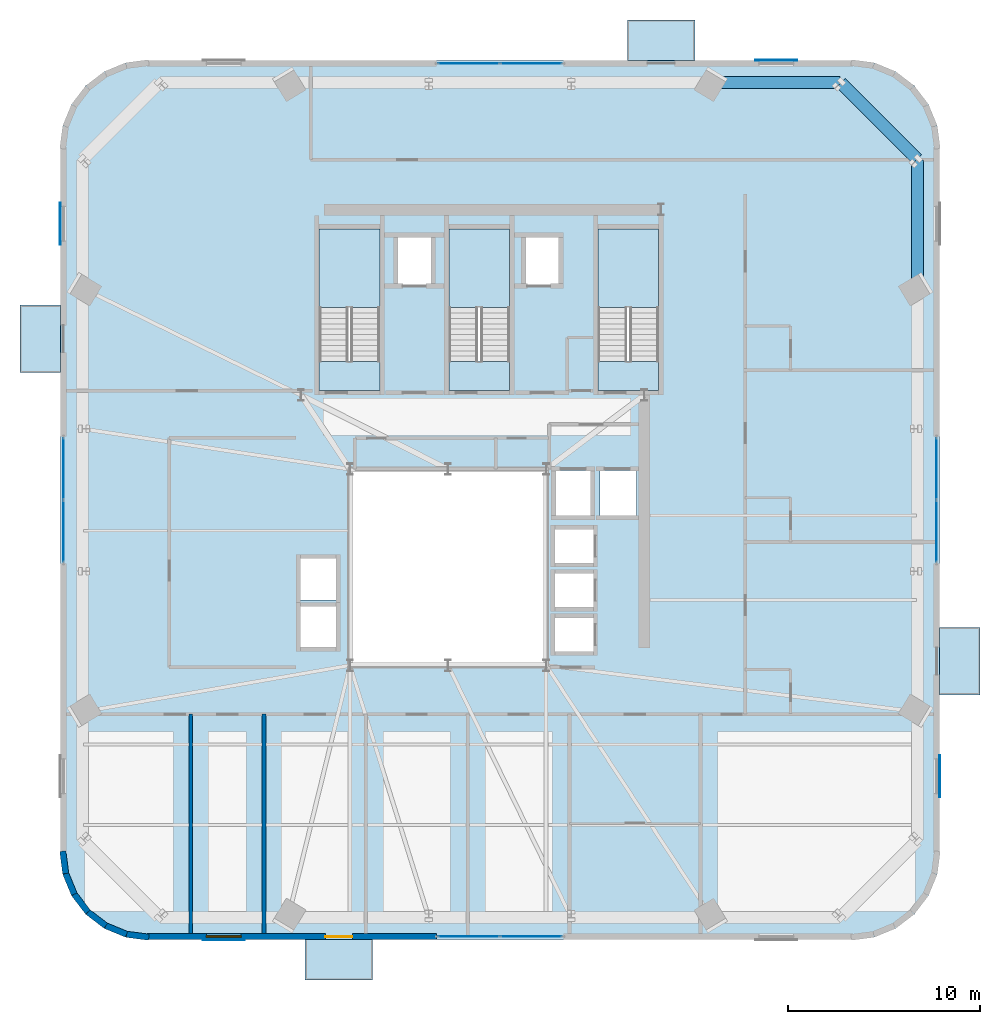
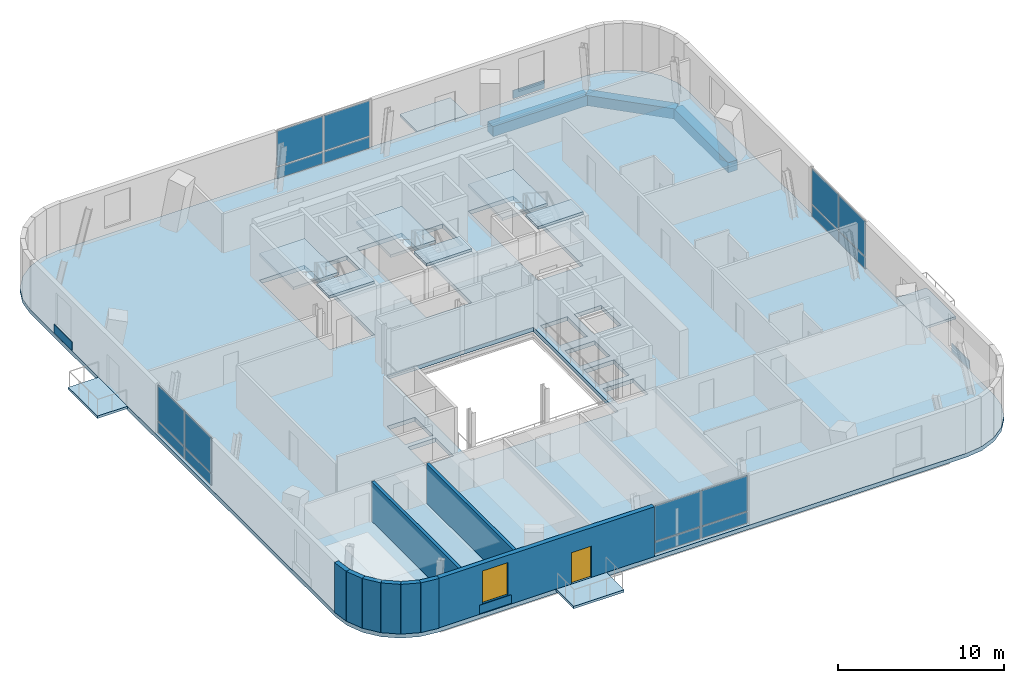
# One storey, part 7 of 15: 20 plates, 11 slabs, 9 walls, 3 beams, 1 door, 1 window, 2 openings, 7 elements without a shape of their own.
"""IFC4 building model written with IfcOpenShell, lengths in metres."""

from ifc_helpers import new_model, si_unit, direction, frame, frame_2d, origin, origin_2d, place, context, subcontext, project, spatial, polyline, rectangle, outline, extrude, source, transform, mapped, material, layer, layer_set, material_profile, profile_set, type_object, element, fill, aggregate, save


model = new_model("IFC4")

# Units and contexts
model_context = context("Model", 3, precision=1e-05, world=origin(), true_north=direction((0.0, 1.0)))
body_context = subcontext(model_context, "Body", "Model", "MODEL_VIEW")
ifc_project = project(units=[si_unit("LENGTHUNIT", "METRE"), si_unit("AREAUNIT", "SQUARE_METRE"), si_unit("VOLUMEUNIT", "CUBIC_METRE"), si_unit("PLANEANGLEUNIT", "RADIAN"), si_unit("MASSUNIT", "GRAM", prefix="KILO")], contexts=[model_context])

# Site, building, storey
site_placement = place(None, origin())
site = spatial("IfcSite", under=ifc_project, at=site_placement, CompositionType="ELEMENT")
building_placement = place(site_placement, origin())
building = spatial("IfcBuilding", under=site, at=building_placement, Name="Vardaveli Station Tower", CompositionType="ELEMENT")
storey_placement = place(building_placement, frame((0.0, 0.0, 258.5)))
storey = spatial("IfcBuildingStorey", under=building, at=storey_placement, Name="L66", CompositionType="ELEMENT", Elevation=258.5)

# Beams
ifc_material_1 = material(Name="Precast concrete C45/55", Category="concrete")
ifc_material_profile = material_profile(ifc_material_1, rectangle(XDim=0.64990234375, YDim=0.75, at=origin_2d()), Name="LPB 650x750")
ifc_profile_set = profile_set([ifc_material_profile], Name="Precast concrete C45/55")
beam_type = type_object("IfcBeamType", Name="BM-LPB-750", PredefinedType="BEAM", material=ifc_profile_set)
shared_shape_1 = source(origin(), body_context, "Body", "SweptSolid", [
    extrude(rectangle(XDim=0.64990234375, YDim=0.75, at=origin_2d()), origin(), (0.0, 0.0, 1.0), 5.61669921875),
])
beam_1_placement = place(storey_placement, frame((60.69580078125, 42.924072265625, -0.675048828125), z_axis=(-0.707106781187, 0.707106781187, 0.0), x_axis=(-0.707106781187, -0.707106781187, 0.0)))
element("IfcBeam", 1, at=beam_1_placement, inside=storey, type_object=beam_type, Name="RBM-L66-11", PredefinedType="BEAM", context=body_context, shape_type="MappedRepresentation", body=[
    mapped(shared_shape_1, transform((0.0, 0.0, 0.0), scale=1.0)),
])
shared_shape_2 = source(origin(), body_context, "Body", "SweptSolid", [
    extrude(rectangle(XDim=0.64990234375, YDim=0.75, at=origin_2d()), origin(), (0.0, 0.0, 1.0), 6.654052734375),
])
beam_2_placement = place(storey_placement, frame((56.68994140625, 46.909912109375, -0.675048828125), z_axis=(-1.0, 0.0, 0.0), x_axis=(0.0, -1.0, 0.0)))
element("IfcBeam", 2, at=beam_2_placement, inside=storey, type_object=beam_type, Name="RBM-L66-12", PredefinedType="BEAM", context=body_context, shape_type="MappedRepresentation", body=[
    mapped(shared_shape_2, transform((0.0, 0.0, 0.0), scale=1.0)),
])
shared_shape_3 = source(origin(), body_context, "Body", "SweptSolid", [
    extrude(rectangle(XDim=0.64990234375, YDim=0.75, at=origin_2d()), origin(), (0.0, 0.0, 1.0), 6.65380859375),
])
beam_3_placement = place(storey_placement, frame((60.7099609375, 36.236083984375, -0.675048828125), z_axis=(0.0, 1.0, 0.0), x_axis=(-1.0, 0.0, 0.0)))
element("IfcBeam", 3, at=beam_3_placement, inside=storey, type_object=beam_type, Name="RBM-L66-10", PredefinedType="BEAM", context=body_context, shape_type="MappedRepresentation", body=[
    mapped(shared_shape_3, transform((0.0, 0.0, 0.0), scale=1.0)),
])

# Stair, slabs
ifc_material_2 = material(Name="Concrete C40/50", Category="concrete")
stair_type = type_object("IfcStairType", Name="STR-CORE-1500", PredefinedType="HALF_TURN_STAIR", material=ifc_material_2)
stair_1_placement = place(storey_placement, origin())
stair_1 = element("IfcStair", 4, at=stair_1_placement, inside=storey, type_object=stair_type, Name="L66 ST-1", PredefinedType="HALF_TURN_STAIR")
ifc_layer_1 = layer(ifc_material_2, 0.199951171875, Name="Concrete C40/50")
ifc_layer_set_1 = layer_set([ifc_layer_1], Name="Concrete C40/50")
slab_type_1 = type_object("IfcSlabType", Name="SLB-LAND-200", PredefinedType="LANDING", material=ifc_layer_set_1)
slab_1_placement = place(storey_placement, frame((0.0, 0.0, 1.77490234375)))
slab_1 = element("IfcSlab", 5, at=slab_1_placement, type_object=slab_type_1, Name="ST-1 landing 1", PredefinedType="LANDING", context=body_context, shape_type="SweptSolid", body=[
    extrude(outline(polyline([(32.75, 35.199951171875), (32.75, 39.300048828125), (29.60009765625, 39.300048828125), (29.60009765625, 35.199951171875), (32.75, 35.199951171875)])), origin(), (0.0, 0.0, 1.0), 0.2001953125),
])
slab_2_placement = place(storey_placement, frame((0.0, 0.0, 3.75)))
slab_2 = element("IfcSlab", 6, at=slab_2_placement, type_object=slab_type_1, Name="ST-1 landing 2", PredefinedType="LANDING", context=body_context, shape_type="SweptSolid", body=[
    extrude(outline(polyline([(32.75, 30.89990234375), (32.75, 32.39990234375), (29.60009765625, 32.39990234375), (29.60009765625, 30.89990234375), (32.75, 30.89990234375)])), origin(), (0.0, 0.0, 1.0), 0.199951171875),
])
aggregate(stair_1, [slab_1, slab_2])

stair_2_placement = place(storey_placement, origin())
stair_2 = element("IfcStair", 7, at=stair_2_placement, inside=storey, type_object=stair_type, Name="L66 ST-2", PredefinedType="HALF_TURN_STAIR")
slab_3_placement = place(storey_placement, frame((0.0, 0.0, 1.77490234375)))
slab_3 = element("IfcSlab", 8, at=slab_3_placement, type_object=slab_type_1, Name="ST-2 landing 1", PredefinedType="LANDING", context=body_context, shape_type="SweptSolid", body=[
    extrude(outline(polyline([(39.5, 35.199951171875), (39.5, 39.300048828125), (36.35009765625, 39.300048828125), (36.35009765625, 35.199951171875), (39.5, 35.199951171875)])), origin(), (0.0, 0.0, 1.0), 0.2001953125),
])
slab_4_placement = place(storey_placement, frame((0.0, 0.0, 3.75)))
slab_4 = element("IfcSlab", 9, at=slab_4_placement, type_object=slab_type_1, Name="ST-2 landing 2", PredefinedType="LANDING", context=body_context, shape_type="SweptSolid", body=[
    extrude(outline(polyline([(39.5, 30.89990234375), (39.5, 32.39990234375), (36.35009765625, 32.39990234375), (36.35009765625, 30.89990234375), (39.5, 30.89990234375)])), origin(), (0.0, 0.0, 1.0), 0.199951171875),
])
aggregate(stair_2, [slab_3, slab_4])

stair_3_placement = place(storey_placement, origin())
stair_3 = element("IfcStair", 10, at=stair_3_placement, inside=storey, type_object=stair_type, Name="L66 ST-3", PredefinedType="HALF_TURN_STAIR")
slab_5_placement = place(storey_placement, frame((0.0, 0.0, 1.77490234375)))
slab_5 = element("IfcSlab", 11, at=slab_5_placement, type_object=slab_type_1, Name="ST-3 landing 1", PredefinedType="LANDING", context=body_context, shape_type="SweptSolid", body=[
    extrude(outline(polyline([(47.25, 35.199951171875), (47.25, 39.300048828125), (44.10009765625, 39.300048828125), (44.10009765625, 35.199951171875), (47.25, 35.199951171875)])), origin(), (0.0, 0.0, 1.0), 0.2001953125),
])
slab_6_placement = place(storey_placement, frame((0.0, 0.0, 3.75)))
slab_6 = element("IfcSlab", 12, at=slab_6_placement, type_object=slab_type_1, Name="ST-3 landing 2", PredefinedType="LANDING", context=body_context, shape_type="SweptSolid", body=[
    extrude(outline(polyline([(47.25, 30.89990234375), (47.25, 32.39990234375), (44.10009765625, 32.39990234375), (44.10009765625, 30.89990234375), (47.25, 30.89990234375)])), origin(), (0.0, 0.0, 1.0), 0.199951171875),
])
aggregate(stair_3, [slab_5, slab_6])

# Slabs
ifc_layer_2 = layer(ifc_material_1, 0.179931640625, Name="Precast concrete C45/55")
ifc_layer_set_2 = layer_set([ifc_layer_2], Name="Precast concrete C45/55")
slab_type_2 = type_object("IfcSlabType", Name="SLB-LOGGIA-180", PredefinedType="FLOOR", material=ifc_layer_set_2)
slab_7_placement = place(storey_placement, frame((0.0, 0.0, -0.179931640625)))
element("IfcSlab", 13, at=slab_7_placement, inside=storey, type_object=slab_type_2, Name="LOG-L66-S", PredefinedType="FLOOR", context=body_context, shape_type="SweptSolid", body=[
    extrude(outline(polyline([(28.867919921875, 0.239990234375), (32.367919921875, 0.239990234375), (32.367919921875, 2.340087890625), (28.867919921875, 2.340087890625), (28.867919921875, 0.239990234375)])), origin(), (0.0, 0.0, 1.0), 0.179931640625),
])
slab_8_placement = place(storey_placement, frame((0.0, 0.0, -0.179931640625)))
element("IfcSlab", 14, at=slab_8_placement, inside=storey, type_object=slab_type_2, Name="LOG-L66-N", PredefinedType="FLOOR", context=body_context, shape_type="SweptSolid", body=[
    extrude(outline(polyline([(45.632080078125, 48.06005859375), (49.132080078125, 48.06005859375), (49.132080078125, 50.159912109375), (45.632080078125, 50.159912109375), (45.632080078125, 48.06005859375)])), origin(), (0.0, 0.0, 1.0), 0.179931640625),
])
slab_9_placement = place(storey_placement, frame((0.0, 0.0, -0.179931640625)))
element("IfcSlab", 15, at=slab_9_placement, inside=storey, type_object=slab_type_2, Name="LOG-L66-W", PredefinedType="FLOOR", context=body_context, shape_type="SweptSolid", body=[
    extrude(outline(polyline([(14.0400390625, 31.832275390625), (16.139892578125, 31.832275390625), (16.139892578125, 35.332275390625), (14.0400390625, 35.332275390625), (14.0400390625, 31.832275390625)])), origin(), (0.0, 0.0, 1.0), 0.179931640625),
])
slab_10_placement = place(storey_placement, frame((0.0, 0.0, -0.179931640625)))
element("IfcSlab", 16, at=slab_10_placement, inside=storey, type_object=slab_type_2, Name="LOG-L66-E", PredefinedType="FLOOR", context=body_context, shape_type="SweptSolid", body=[
    extrude(outline(polyline([(61.860107421875, 15.06787109375), (63.9599609375, 15.06787109375), (63.9599609375, 18.56787109375), (61.860107421875, 18.56787109375), (61.860107421875, 15.06787109375)])), origin(), (0.0, 0.0, 1.0), 0.179931640625),
])
ifc_material_3 = material(Name="Concrete C50/60", Category="concrete")
ifc_layer_3 = layer(ifc_material_3, 0.300048828125, Name="Concrete C50/60")
ifc_layer_set_3 = layer_set([ifc_layer_3], Name="Concrete C50/60")
slab_type_3 = type_object("IfcSlabType", Name="SLB-REF-300", PredefinedType="FLOOR", material=ifc_layer_set_3)
slab_11_placement = place(storey_placement, frame((0.0, 0.0, -0.300048828125)))
element("IfcSlab", 17, at=slab_11_placement, inside=storey, type_object=slab_type_3, Name="SLB-L66-MAIN", PredefinedType="FLOOR", context=body_context, shape_type="SweptSolid", body=[
    extrude(outline(polyline([(16.139892578125, 6.840087890625), (16.293212890625, 5.67529296875), (16.742919921875, 4.590087890625), (17.4580078125, 3.657958984375), (18.389892578125, 2.94287109375), (19.475341796875, 2.493408203125), (20.639892578125, 2.340087890625), (57.360107421875, 2.340087890625), (58.524658203125, 2.493408203125), (59.610107421875, 2.94287109375), (60.5419921875, 3.657958984375), (61.257080078125, 4.590087890625), (61.706787109375, 5.67529296875), (61.860107421875, 6.840087890625), (61.860107421875, 43.56005859375), (61.706787109375, 44.724609375), (61.257080078125, 45.81005859375), (60.5419921875, 46.741943359375), (59.610107421875, 47.45703125), (58.524658203125, 47.90673828125), (57.360107421875, 48.06005859375), (20.639892578125, 48.06005859375), (19.475341796875, 47.90673828125), (18.389892578125, 47.45703125), (17.4580078125, 46.741943359375), (16.742919921875, 45.81005859375), (16.293212890625, 44.724609375), (16.139892578125, 43.56005859375), (16.139892578125, 6.840087890625)]), holes=[polyline([(31.199951171875, 16.60009765625), (41.39990234375, 16.60009765625), (41.39990234375, 26.800048828125), (31.199951171875, 26.800048828125), (31.199951171875, 16.60009765625)]), polyline([(32.75, 30.89990234375), (32.75, 39.300048828125), (29.60009765625, 39.300048828125), (29.60009765625, 30.89990234375), (32.75, 30.89990234375)]), polyline([(39.5, 30.89990234375), (39.5, 39.300048828125), (36.35009765625, 39.300048828125), (36.35009765625, 30.89990234375), (39.5, 30.89990234375)]), polyline([(47.25, 30.89990234375), (47.25, 39.300048828125), (44.10009765625, 39.300048828125), (44.10009765625, 30.89990234375), (47.25, 30.89990234375)]), polyline([(33.659912109375, 36.409912109375), (35.43994140625, 36.409912109375), (35.43994140625, 38.889892578125), (33.659912109375, 38.889892578125), (33.659912109375, 36.409912109375)]), polyline([(40.31005859375, 36.409912109375), (42.090087890625, 36.409912109375), (42.090087890625, 38.889892578125), (40.31005859375, 38.889892578125), (40.31005859375, 36.409912109375)]), polyline([(41.81005859375, 21.885009765625), (43.889892578125, 21.885009765625), (43.889892578125, 23.715087890625), (41.81005859375, 23.715087890625), (41.81005859375, 21.885009765625)]), polyline([(41.81005859375, 19.5849609375), (43.889892578125, 19.5849609375), (43.889892578125, 21.4150390625), (41.81005859375, 21.4150390625), (41.81005859375, 19.5849609375)]), polyline([(41.81005859375, 17.284912109375), (43.889892578125, 17.284912109375), (43.889892578125, 19.114990234375), (41.81005859375, 19.114990234375), (41.81005859375, 17.284912109375)]), polyline([(28.5849609375, 17.510009765625), (30.514892578125, 17.510009765625), (30.514892578125, 19.68994140625), (28.5849609375, 19.68994140625), (28.5849609375, 17.510009765625)]), polyline([(28.5849609375, 20.010009765625), (30.514892578125, 20.010009765625), (30.514892578125, 22.18994140625), (28.5849609375, 22.18994140625), (28.5849609375, 20.010009765625)]), polyline([(41.860107421875, 24.360107421875), (43.739990234375, 24.360107421875), (43.739990234375, 26.739990234375), (41.860107421875, 26.739990234375), (41.860107421875, 24.360107421875)]), polyline([(44.2099609375, 24.360107421875), (46.090087890625, 24.360107421875), (46.090087890625, 26.739990234375), (44.2099609375, 26.739990234375), (44.2099609375, 24.360107421875)])]), origin(), (0.0, 0.0, 1.0), 0.300048828125),
])

# Plates
ifc_material_4 = material(Name="Honed Caucasian travertine stone", Category="masonry")
ifc_layer_4 = layer(ifc_material_4, 0.034912109375, Name="Honed Caucasian travertine stone")
ifc_layer_set_4 = layer_set([ifc_layer_4], Name="Honed Caucasian travertine stone")
plate_type_1 = type_object("IfcPlateType", Name="PLT-TRAV-35", PredefinedType="SHEET", material=ifc_layer_set_4)
shared_shape_4 = source(origin(), body_context, "Body", "SweptSolid", [
    extrude(rectangle(XDim=2.199951171875, YDim=0.034912109375, at=origin_2d()), origin(), (0.0, 0.0, 1.0), 0.6201171875),
])
for number, where, z_axis, x_axis, name in (
    (18, (24.636962890625, 2.33056640625, 0.06982421875), (0.0, 0.0, 1.0), (1.0, 0.0, 0.0), "PLT-TR-L66-S"),
    (19, (53.363037109375, 48.069580078125, 0.06982421875), (0.0, 0.0, 1.0), (1.0, 0.0, 0.0), "PLT-TR-L66-N"),
    (20, (16.130615234375, 39.56298828125, 0.06982421875), (0.0, 0.0, 1.0), (0.0, 1.0, 0.0), "PLT-TR-L66-W"),
    (21, (61.869384765625, 10.8369140625, 0.06982421875), (0.0, 0.0, 1.0), (0.0, 1.0, 0.0), "PLT-TR-L66-E"),
):
    element("IfcPlate", number, at=place(storey_placement, frame(where, z_axis=z_axis, x_axis=x_axis)), inside=storey, type_object=plate_type_1, Name=name, PredefinedType="SHEET", context=body_context, shape_type="MappedRepresentation", body=[
        mapped(shared_shape_4, transform((0.0, 0.0, 0.0), scale=1.0)),
    ])

# Curtain wall, plates
ifc_material_5 = material(Name="Travertine stone and solar-control glass", Category="masonry")
curtain_wall_type = type_object("IfcCurtainWallType", Name="CW-SYS-5", PredefinedType="NOTDEFINED", material=ifc_material_5)
curtain_wall_1_placement = place(storey_placement, origin())
curtain_wall_1 = element("IfcCurtainWall", 22, at=curtain_wall_1_placement, inside=storey, type_object=curtain_wall_type, Name="CW-L66-S", PredefinedType="NOTDEFINED")
ifc_material_6 = material(Name="Double-glazed low-E solar-control glass", Category="glass")
ifc_layer_5 = layer(ifc_material_6, 0.031982421875, Name="Double-glazed low-E solar-control glass")
ifc_layer_set_5 = layer_set([ifc_layer_5], Name="Double-glazed low-E solar-control glass")
plate_type_2 = type_object("IfcPlateType", Name="CW-SYS-5-PAN", PredefinedType="CURTAIN_PANEL", material=ifc_layer_set_5)
shared_shape_5 = source(origin(), body_context, "Body", "SweptSolid", [
    extrude(rectangle(XDim=3.179931640625, YDim=0.031982421875, at=origin_2d()), origin(), (0.0, 0.0, 1.0), 0.830078125),
])
plate_1_placement = place(storey_placement, frame((37.3701171875, 2.5, 0.080078125), z_axis=(0.0, 0.0, 1.0), x_axis=(1.0, 0.0, 0.0)))
plate_1 = element("IfcPlate", 23, at=plate_1_placement, type_object=plate_type_2, Name="CW-5 panel 1.1", PredefinedType="CURTAIN_PANEL", context=body_context, shape_type="MappedRepresentation", body=[
    mapped(shared_shape_5, transform((0.0, 0.0, 0.0), scale=1.0)),
])
plate_2_placement = place(storey_placement, frame((40.6298828125, 2.5, 0.080078125), z_axis=(0.0, 0.0, 1.0), x_axis=(1.0, 0.0, 0.0)))
plate_2 = element("IfcPlate", 24, at=plate_2_placement, type_object=plate_type_2, Name="CW-5 panel 2.1", PredefinedType="CURTAIN_PANEL", context=body_context, shape_type="MappedRepresentation", body=[
    mapped(shared_shape_5, transform((0.0, 0.0, 0.0), scale=1.0)),
])

curtain_wall_2_placement = place(storey_placement, origin())
curtain_wall_2 = element("IfcCurtainWall", 25, at=curtain_wall_2_placement, inside=storey, type_object=curtain_wall_type, Name="CW-L66-N", PredefinedType="NOTDEFINED")
plate_3_placement = place(storey_placement, frame((40.6298828125, 47.89990234375, 0.080078125), z_axis=(0.0, 0.0, 1.0), x_axis=(-1.0, 0.0, 0.0)))
plate_3 = element("IfcPlate", 26, at=plate_3_placement, type_object=plate_type_2, Name="CW-5 panel 1.1", PredefinedType="CURTAIN_PANEL", context=body_context, shape_type="MappedRepresentation", body=[
    mapped(shared_shape_5, transform((0.0, 0.0, 0.0), scale=1.0)),
])
plate_4_placement = place(storey_placement, frame((37.3701171875, 47.89990234375, 0.080078125), z_axis=(0.0, 0.0, 1.0), x_axis=(-1.0, 0.0, 0.0)))
plate_4 = element("IfcPlate", 27, at=plate_4_placement, type_object=plate_type_2, Name="CW-5 panel 2.1", PredefinedType="CURTAIN_PANEL", context=body_context, shape_type="MappedRepresentation", body=[
    mapped(shared_shape_5, transform((0.0, 0.0, 0.0), scale=1.0)),
])

curtain_wall_3_placement = place(storey_placement, origin())
curtain_wall_3 = element("IfcCurtainWall", 28, at=curtain_wall_3_placement, inside=storey, type_object=curtain_wall_type, Name="CW-L66-W", PredefinedType="NOTDEFINED")
plate_5_placement = place(storey_placement, frame((16.300048828125, 26.830078125, 0.080078125), z_axis=(0.0, 0.0, 1.0), x_axis=(0.0, -1.0, 0.0)))
plate_5 = element("IfcPlate", 29, at=plate_5_placement, type_object=plate_type_2, Name="CW-5 panel 1.1", PredefinedType="CURTAIN_PANEL", context=body_context, shape_type="MappedRepresentation", body=[
    mapped(shared_shape_5, transform((0.0, 0.0, 0.0), scale=1.0)),
])
plate_6_placement = place(storey_placement, frame((16.300048828125, 23.570068359375, 0.080078125), z_axis=(0.0, 0.0, 1.0), x_axis=(0.0, -1.0, 0.0)))
plate_6 = element("IfcPlate", 30, at=plate_6_placement, type_object=plate_type_2, Name="CW-5 panel 2.1", PredefinedType="CURTAIN_PANEL", context=body_context, shape_type="MappedRepresentation", body=[
    mapped(shared_shape_5, transform((0.0, 0.0, 0.0), scale=1.0)),
])

curtain_wall_4_placement = place(storey_placement, origin())
curtain_wall_4 = element("IfcCurtainWall", 31, at=curtain_wall_4_placement, inside=storey, type_object=curtain_wall_type, Name="CW-L66-E", PredefinedType="NOTDEFINED")
plate_7_placement = place(storey_placement, frame((61.699951171875, 23.570068359375, 0.080078125), z_axis=(0.0, 0.0, 1.0), x_axis=(0.0, 1.0, 0.0)))
plate_7 = element("IfcPlate", 32, at=plate_7_placement, type_object=plate_type_2, Name="CW-5 panel 1.1", PredefinedType="CURTAIN_PANEL", context=body_context, shape_type="MappedRepresentation", body=[
    mapped(shared_shape_5, transform((0.0, 0.0, 0.0), scale=1.0)),
])
plate_8_placement = place(storey_placement, frame((61.699951171875, 26.830078125, 0.080078125), z_axis=(0.0, 0.0, 1.0), x_axis=(0.0, 1.0, 0.0)))
plate_8 = element("IfcPlate", 33, at=plate_8_placement, type_object=plate_type_2, Name="CW-5 panel 2.1", PredefinedType="CURTAIN_PANEL", context=body_context, shape_type="MappedRepresentation", body=[
    mapped(shared_shape_5, transform((0.0, 0.0, 0.0), scale=1.0)),
])

# Plate
shared_shape_6 = source(origin(), body_context, "Body", "SweptSolid", [
    extrude(rectangle(XDim=3.179931640625, YDim=0.031982421875, at=origin_2d()), origin(), (0.0, 0.0, 1.0), 2.580078125),
])
plate_9_placement = place(storey_placement, frame((37.3701171875, 2.5, 0.989990234375), z_axis=(0.0, 0.0, 1.0), x_axis=(1.0, 0.0, 0.0)))
plate_9 = element("IfcPlate", 34, at=plate_9_placement, type_object=plate_type_2, Name="CW-5 panel 1.2", PredefinedType="CURTAIN_PANEL", context=body_context, shape_type="MappedRepresentation", body=[
    mapped(shared_shape_6, transform((0.0, 0.0, 0.0), scale=1.0)),
])

plate_10_placement = place(storey_placement, frame((40.6298828125, 2.5, 0.989990234375), z_axis=(0.0, 0.0, 1.0), x_axis=(1.0, 0.0, 0.0)))
plate_10 = element("IfcPlate", 35, at=plate_10_placement, type_object=plate_type_2, Name="CW-5 panel 2.2", PredefinedType="CURTAIN_PANEL", context=body_context, shape_type="MappedRepresentation", body=[
    mapped(shared_shape_6, transform((0.0, 0.0, 0.0), scale=1.0)),
])

aggregate(curtain_wall_1, [plate_1, plate_9, plate_2, plate_10])

plate_11_placement = place(storey_placement, frame((40.6298828125, 47.89990234375, 0.989990234375), z_axis=(0.0, 0.0, 1.0), x_axis=(-1.0, 0.0, 0.0)))
plate_11 = element("IfcPlate", 36, at=plate_11_placement, type_object=plate_type_2, Name="CW-5 panel 1.2", PredefinedType="CURTAIN_PANEL", context=body_context, shape_type="MappedRepresentation", body=[
    mapped(shared_shape_6, transform((0.0, 0.0, 0.0), scale=1.0)),
])

plate_12_placement = place(storey_placement, frame((37.3701171875, 47.89990234375, 0.989990234375), z_axis=(0.0, 0.0, 1.0), x_axis=(-1.0, 0.0, 0.0)))
plate_12 = element("IfcPlate", 37, at=plate_12_placement, type_object=plate_type_2, Name="CW-5 panel 2.2", PredefinedType="CURTAIN_PANEL", context=body_context, shape_type="MappedRepresentation", body=[
    mapped(shared_shape_6, transform((0.0, 0.0, 0.0), scale=1.0)),
])

aggregate(curtain_wall_2, [plate_3, plate_11, plate_4, plate_12])

plate_13_placement = place(storey_placement, frame((16.300048828125, 26.830078125, 0.989990234375), z_axis=(0.0, 0.0, 1.0), x_axis=(0.0, -1.0, 0.0)))
plate_13 = element("IfcPlate", 38, at=plate_13_placement, type_object=plate_type_2, Name="CW-5 panel 1.2", PredefinedType="CURTAIN_PANEL", context=body_context, shape_type="MappedRepresentation", body=[
    mapped(shared_shape_6, transform((0.0, 0.0, 0.0), scale=1.0)),
])

plate_14_placement = place(storey_placement, frame((16.300048828125, 23.570068359375, 0.989990234375), z_axis=(0.0, 0.0, 1.0), x_axis=(0.0, -1.0, 0.0)))
plate_14 = element("IfcPlate", 39, at=plate_14_placement, type_object=plate_type_2, Name="CW-5 panel 2.2", PredefinedType="CURTAIN_PANEL", context=body_context, shape_type="MappedRepresentation", body=[
    mapped(shared_shape_6, transform((0.0, 0.0, 0.0), scale=1.0)),
])

aggregate(curtain_wall_3, [plate_5, plate_13, plate_6, plate_14])

plate_15_placement = place(storey_placement, frame((61.699951171875, 23.570068359375, 0.989990234375), z_axis=(0.0, 0.0, 1.0), x_axis=(0.0, 1.0, 0.0)))
plate_15 = element("IfcPlate", 40, at=plate_15_placement, type_object=plate_type_2, Name="CW-5 panel 1.2", PredefinedType="CURTAIN_PANEL", context=body_context, shape_type="MappedRepresentation", body=[
    mapped(shared_shape_6, transform((0.0, 0.0, 0.0), scale=1.0)),
])

plate_16_placement = place(storey_placement, frame((61.699951171875, 26.830078125, 0.989990234375), z_axis=(0.0, 0.0, 1.0), x_axis=(0.0, 1.0, 0.0)))
plate_16 = element("IfcPlate", 41, at=plate_16_placement, type_object=plate_type_2, Name="CW-5 panel 2.2", PredefinedType="CURTAIN_PANEL", context=body_context, shape_type="MappedRepresentation", body=[
    mapped(shared_shape_6, transform((0.0, 0.0, 0.0), scale=1.0)),
])

aggregate(curtain_wall_4, [plate_7, plate_15, plate_8, plate_16])

# Walls
ifc_layer_6 = layer(ifc_material_1, 0.320068359375, Name="Precast concrete C45/55")
ifc_layer_set_6 = layer_set([ifc_layer_6], Name="Precast concrete C45/55")
wall_type_1 = type_object("IfcWallType", Name="WAL-EXT-STONE-320", PredefinedType="SOLIDWALL", material=ifc_layer_set_6)
shared_shape_7 = source(origin(), body_context, "Body", "SweptSolid", [
    extrude(rectangle(XDim=1.1689453125, YDim=0.320068359375, at=frame_2d((0.58447265625, 0.0))), origin(), (0.0, 0.0, 1.0), 3.64990234375),
])
wall_1_placement = place(storey_placement, frame((18.498779296875, 3.060302734375, 0.0), z_axis=(0.0, 0.0, 1.0), x_axis=(0.924522320046, -0.381127904695, 0.0)))
element("IfcWall", 42, at=wall_1_placement, inside=storey, type_object=wall_type_1, Name="EW-L66-CR1-5", PredefinedType="SOLIDWALL", context=body_context, shape_type="MappedRepresentation", body=[
    mapped(shared_shape_7, transform((0.0, 0.0, 0.0), scale=1.0)),
])
shared_shape_8 = source(origin(), body_context, "Body", "SweptSolid", [
    extrude(rectangle(XDim=1.168701171875, YDim=0.320068359375, at=frame_2d((0.58447265625, 0.0))), origin(), (0.0, 0.0, 1.0), 3.64990234375),
])
wall_2_placement = place(storey_placement, frame((17.571044921875, 3.771240234375, 0.0), z_axis=(0.0, 0.0, 1.0), x_axis=(0.793740819745, -0.608256122921, 0.0)))
element("IfcWall", 43, at=wall_2_placement, inside=storey, type_object=wall_type_1, Name="EW-L66-CR1-4", PredefinedType="SOLIDWALL", context=body_context, shape_type="MappedRepresentation", body=[
    mapped(shared_shape_8, transform((0.0, 0.0, 0.0), scale=1.0)),
])
shared_shape_9 = source(origin(), body_context, "Body", "SweptSolid", [
    extrude(rectangle(XDim=1.170166015625, YDim=0.320068359375, at=frame_2d((0.5849609375, 0.0))), origin(), (0.0, 0.0, 1.0), 3.64990234375),
])
for number, where, z_axis, x_axis, name in (
    (44, (16.2646484375, 6.940185546875, 0.0), (0.0, 0.0, 1.0), (0.128090485085, -0.991762485493, 0.0), "EW-L66-CR1-1"),
    (45, (19.57958984375, 2.61474609375, 0.0), (0.0, 0.0, 1.0), (0.991762485493, -0.128090485085, 0.0), "EW-L66-CR1-6"),
):
    element("IfcWall", number, at=place(storey_placement, frame(where, z_axis=z_axis, x_axis=x_axis)), inside=storey, type_object=wall_type_1, Name=name, PredefinedType="SOLIDWALL", context=body_context, shape_type="MappedRepresentation", body=[
        mapped(shared_shape_9, transform((0.0, 0.0, 0.0), scale=1.0)),
    ])
shared_shape_10 = source(origin(), body_context, "Body", "SweptSolid", [
    extrude(rectangle(XDim=1.169189453125, YDim=0.320068359375, at=frame_2d((0.58447265625, 0.0))), origin(), (0.0, 0.0, 1.0), 3.64990234375),
])
wall_3_placement = place(storey_placement, frame((16.41455078125, 5.779541015625, 0.0), z_axis=(0.0, 0.0, 1.0), x_axis=(0.381306385215, -0.924448722534, 0.0)))
element("IfcWall", 46, at=wall_3_placement, inside=storey, type_object=wall_type_1, Name="EW-L66-CR1-2", PredefinedType="SOLIDWALL", context=body_context, shape_type="MappedRepresentation", body=[
    mapped(shared_shape_10, transform((0.0, 0.0, 0.0), scale=1.0)),
])

# Wall, openings, door, window
shared_shape_11 = source(origin(), body_context, "Body", "SweptSolid", [
    extrude(rectangle(XDim=15.06005859375, YDim=0.320068359375, at=frame_2d((7.530029296875, 0.0))), origin(), (0.0, 0.0, 1.0), 3.64990234375),
])
wall_4_placement = place(storey_placement, frame((20.639892578125, 2.5, 0.0), z_axis=(0.0, 0.0, 1.0), x_axis=(1.0, 0.0, 0.0)))
wall_4 = element("IfcWall", 47, at=wall_4_placement, inside=storey, type_object=wall_type_1, Name="EW-L66-S1", PredefinedType="SOLIDWALL", context=body_context, shape_type="MappedRepresentation", body=[
    mapped(shared_shape_11, transform((0.0, 0.0, 0.0), scale=1.0)),
])
shared_shape_12 = source(origin(), body_context, "Body", "SweptSolid", [
    extrude(rectangle(XDim=1.39990234375, YDim=2.300048828125, at=frame_2d((0.699951171875, 1.14990234375))), frame((0.0, 0.169921875, 0.0), z_axis=(0.0, -1.0, 0.0), x_axis=(1.0, 0.0, 0.0)), (0.0, 0.0, 1.0), 0.340087890625),
])
opening_1_placement = place(wall_4_placement, frame((9.27783203125, 0.0, 0.0)))
opening_1 = element("IfcOpeningElement", 48, at=opening_1_placement, cuts=wall_4, Name="Opening D-09", PredefinedType="OPENING", context=body_context, shape_type="MappedRepresentation", body=[
    mapped(shared_shape_12, transform((0.0, 0.0, 0.0), scale=1.0)),
])
shared_shape_13 = source(origin(), body_context, "Body", "SweptSolid", [
    extrude(rectangle(XDim=1.800048828125, YDim=2.39990234375, at=frame_2d((0.89990234375, 1.199951171875))), frame((0.0, 0.169921875, 0.0), z_axis=(0.0, -1.0, 0.0), x_axis=(1.0, 0.0, 0.0)), (0.0, 0.0, 1.0), 0.340087890625),
])
opening_2_placement = place(wall_4_placement, frame((3.096923828125, 0.0, 0.719970703125)))
opening_2 = element("IfcOpeningElement", 49, at=opening_2_placement, cuts=wall_4, Name="Opening W-05", PredefinedType="OPENING", context=body_context, shape_type="MappedRepresentation", body=[
    mapped(shared_shape_13, transform((0.0, 0.0, 0.0), scale=1.0)),
])
ifc_material_7 = material(Name="Thermally broken aluminium glass", Category="aluminium")
door_type = type_object("IfcDoorType", Name="DR-LOG-1400x2300", OperationType="DOUBLE_DOOR_SLIDING", PredefinedType="DOOR", material=ifc_material_7)
shared_shape_14 = source(origin(), body_context, "Body", "SweptSolid", [
    extrude(rectangle(XDim=1.39990234375, YDim=2.300048828125, at=frame_2d((0.699951171875, 1.14990234375))), frame((0.0, 0.02490234375, 0.0), z_axis=(0.0, -1.0, 0.0), x_axis=(1.0, 0.0, 0.0)), (0.0, 0.0, 1.0), 0.050048828125),
])
door_placement = place(opening_1_placement, frame((1.39990234375, 0.0, 0.0), z_axis=(0.0, 0.0, 1.0), x_axis=(-1.0, 0.0, 0.0)))
door = element("IfcDoor", 50, at=door_placement, inside=storey, type_object=door_type, Name="DLG-L66-S", OperationType="DOUBLE_DOOR_SLIDING", OverallHeight=2.300048828125, OverallWidth=1.39990234375, PredefinedType="DOOR", context=body_context, shape_type="MappedRepresentation", body=[
    mapped(shared_shape_14, transform((0.0, 0.0, 0.0), scale=1.0)),
])
fill(opening_1, door)
ifc_material_8 = material(Name="Low-E solar-control glass", Category="glass")
window_type = type_object("IfcWindowType", Name="WIN-HIGH-1800x2400", PartitioningType="SINGLE_PANEL", PredefinedType="WINDOW", material=ifc_material_8)
shared_shape_15 = source(origin(), body_context, "Body", "SweptSolid", [
    extrude(rectangle(XDim=1.800048828125, YDim=2.39990234375, at=frame_2d((0.89990234375, 1.199951171875))), frame((0.0, 0.030029296875, 0.0), z_axis=(0.0, -1.0, 0.0), x_axis=(1.0, 0.0, 0.0)), (0.0, 0.0, 1.0), 0.06005859375),
])
window_placement = place(opening_2_placement, origin())
window = element("IfcWindow", 51, at=window_placement, inside=storey, type_object=window_type, Name="WN-L66-S1", OverallHeight=2.39990234375, OverallWidth=1.800048828125, PartitioningType="SINGLE_PANEL", PredefinedType="WINDOW", context=body_context, shape_type="MappedRepresentation", body=[
    mapped(shared_shape_15, transform((0.0, 0.0, 0.0), scale=1.0)),
])
fill(opening_2, window)

# Walls
shared_shape_16 = source(origin(), body_context, "Body", "SweptSolid", [
    extrude(rectangle(XDim=1.16845703125, YDim=0.320068359375, at=frame_2d((0.584228515625, 0.0))), origin(), (0.0, 0.0, 1.0), 3.64990234375),
])
wall_5_placement = place(storey_placement, frame((16.8603515625, 4.69873046875, 0.0), z_axis=(0.0, 0.0, 1.0), x_axis=(0.60822536085, -0.79376439226, 0.0)))
element("IfcWall", 52, at=wall_5_placement, inside=storey, type_object=wall_type_1, Name="EW-L66-CR1-3", PredefinedType="SOLIDWALL", context=body_context, shape_type="MappedRepresentation", body=[
    mapped(shared_shape_16, transform((0.0, 0.0, 0.0), scale=1.0)),
])
ifc_material_9 = material(Name="Acoustic twin-stud gypsum partition")
ifc_layer_7 = layer(ifc_material_9, 0.199951171875, Name="Acoustic twin-stud gypsum partition")
ifc_layer_set_7 = layer_set([ifc_layer_7], Name="Acoustic twin-stud gypsum partition")
wall_type_2 = type_object("IfcWallType", Name="WAL-PARTY-200", PredefinedType="PARTITIONING", material=ifc_layer_set_7)
shared_shape_17 = source(origin(), body_context, "Body", "SweptSolid", [
    extrude(rectangle(XDim=11.407958984375, YDim=0.199951171875, at=frame_2d((5.7041015625, 0.0))), origin(), (0.0, 0.0, 1.0), 2.89208984375),
])
for number, where, z_axis, x_axis, name in (
    (53, (22.9208984375, 2.662109375, 0.0), (0.0, 0.0, 1.0), (0.0, 1.0, 0.0), "W-L66-PS1"),
    (54, (26.720947265625, 2.662109375, 0.0), (0.0, 0.0, 1.0), (0.0, 1.0, 0.0), "W-L66-PS2"),
):
    element("IfcWall", number, at=place(storey_placement, frame(where, z_axis=z_axis, x_axis=x_axis)), inside=storey, type_object=wall_type_2, Name=name, PredefinedType="PARTITIONING", context=body_context, shape_type="MappedRepresentation", body=[
        mapped(shared_shape_17, transform((0.0, 0.0, 0.0), scale=1.0)),
    ])

save(model, "model.ifc")
